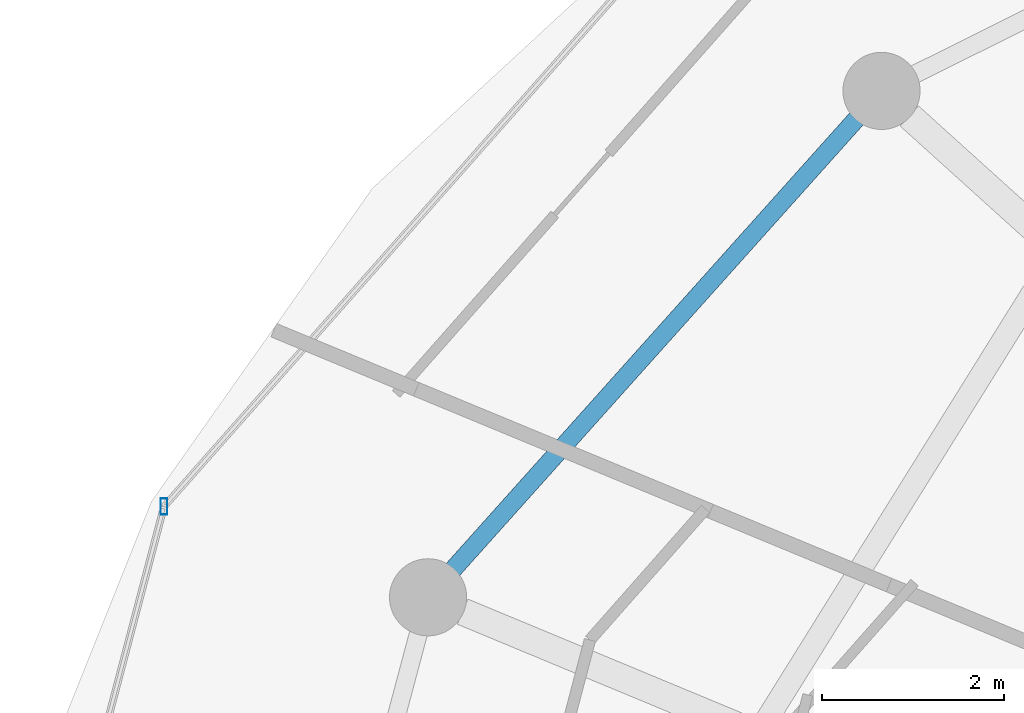
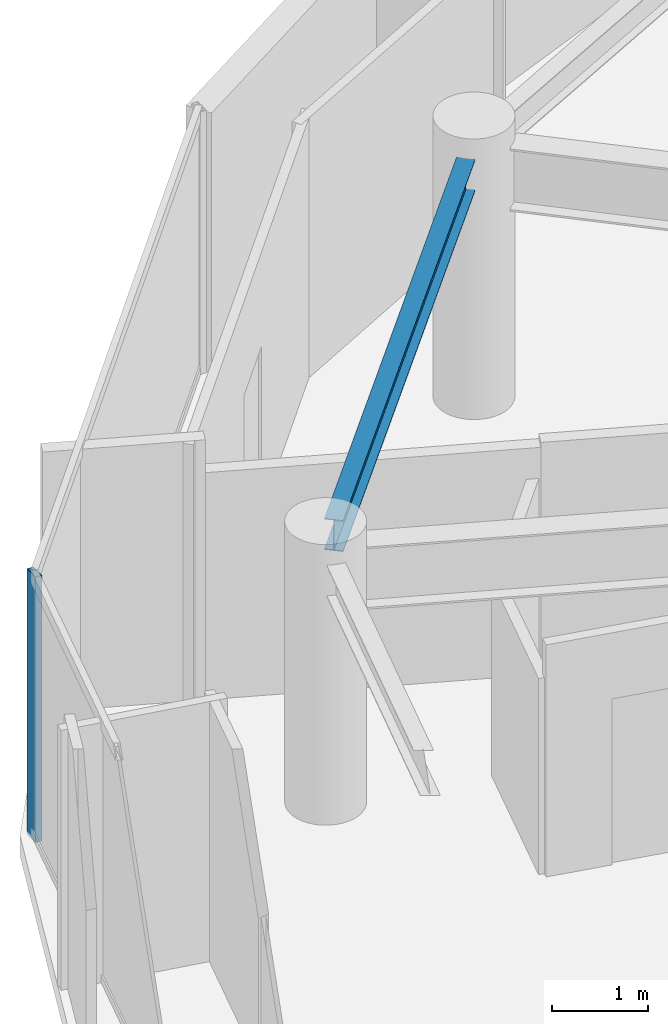
# One storey, part 9 of 32: 1 beam, 1 member, 1 element without a shape of its own.
"""IFC4 building model written with IfcOpenShell, lengths in metres."""

from ifc_helpers import new_model, si_unit, direction, frame, origin, origin_2d, place, context, subcontext, project, spatial, hollow_rectangle, i_section, extrude, material, material_profile, profile_set, type_object, element, aggregate, save


model = new_model("IFC4")

# Units and contexts
model_context = context("Model", 3, precision=1e-05, world=origin(), true_north=direction((0.0, 1.0)))
body_context = subcontext(model_context, "Body", "Model", "MODEL_VIEW")
ifc_project = project(units=[si_unit("LENGTHUNIT", "METRE"), si_unit("AREAUNIT", "SQUARE_METRE"), si_unit("VOLUMEUNIT", "CUBIC_METRE"), si_unit("PLANEANGLEUNIT", "RADIAN"), si_unit("MASSUNIT", "GRAM", prefix="KILO")], contexts=[model_context])

# Site, building, storey
site_placement = place(None, origin())
site = spatial("IfcSite", under=ifc_project, at=site_placement, CompositionType="ELEMENT")
building_placement = place(site_placement, origin())
building = spatial("IfcBuilding", under=site, at=building_placement, Name="Vorneva Point Tower", CompositionType="ELEMENT")
storey_placement = place(building_placement, frame((0.0, 0.0, 269.75)))
storey = spatial("IfcBuildingStorey", under=building, at=storey_placement, Name="L73", CompositionType="ELEMENT", Elevation=269.75)

# Beam
ifc_material_1 = material(Name="Steel S355", Category="steel")
ifc_material_profile_1 = material_profile(ifc_material_1, i_section(OverallWidth=0.198974609375, OverallDepth=0.39599609375, WebThickness=0.007080078125, FlangeThickness=0.010986328125, at=origin_2d()), Name="40B1")
ifc_profile_set_1 = profile_set([ifc_material_profile_1], Name="Steel S355")
beam_type = type_object("IfcBeamType", Name="BM-SPN-40B1", PredefinedType="SPANDREL", material=ifc_profile_set_1)
beam_placement = place(storey_placement, frame((21.427734375, 37.856689453125, 3.092041015625), z_axis=(-0.667108282638, -0.744960763554, 0.0), x_axis=(0.744960763554, -0.667108282638, 0.0)))
element("IfcBeam", 1, at=beam_placement, inside=storey, type_object=beam_type, Name="L73 Perimeter Spandrel Ring Beam 07", PredefinedType="SPANDREL", context=body_context, shape_type="SweptSolid", body=[
    extrude(i_section(OverallWidth=0.198974609375, OverallDepth=0.39599609375, WebThickness=0.007080078125, FlangeThickness=0.010986328125, at=origin_2d()), origin(), (0.0, 0.0, 1.0), 6.670166015625),
])

# Curtain wall, member
ifc_material_2 = material(Name="Pale anodised aluminium", Category="aluminium")
curtain_wall_type = type_object("IfcCurtainWallType", Name="CW-RES-SYS", PredefinedType="NOTDEFINED", material=ifc_material_2)
curtain_wall_placement = place(storey_placement, origin())
curtain_wall = element("IfcCurtainWall", 2, at=curtain_wall_placement, inside=storey, type_object=curtain_wall_type, Name="L73 Unitised Curtain Wall CW-L73-R03", PredefinedType="NOTDEFINED")
ifc_material_profile_2 = material_profile(ifc_material_2, hollow_rectangle(XDim=0.074951171875, YDim=0.179931640625, WallThickness=0.00390625, at=origin_2d()), Name="AL-MUL 180x75x4")
ifc_profile_set_2 = profile_set([ifc_material_profile_2], Name="Pale anodised aluminium")
member_type = type_object("IfcMemberType", Name="CW-MUL-180", PredefinedType="MULLION", material=ifc_profile_set_2)
member_placement = place(storey_placement, frame((13.79443359375, 33.5810546875, -0.0400390625), z_axis=(0.0, 0.0, 1.0), x_axis=(1.0, 0.0, 0.0)))
member = element("IfcMember", 3, at=member_placement, type_object=member_type, Name="CW-L73-R03 Mullion 02", PredefinedType="MULLION", context=body_context, shape_type="SweptSolid", body=[
    extrude(hollow_rectangle(XDim=0.074951171875, YDim=0.179931640625, WallThickness=0.00390625, at=origin_2d()), origin(), (0.0, 0.0, 1.0), 3.360107421875),
])
aggregate(curtain_wall, [member])

save(model, "model.ifc")
